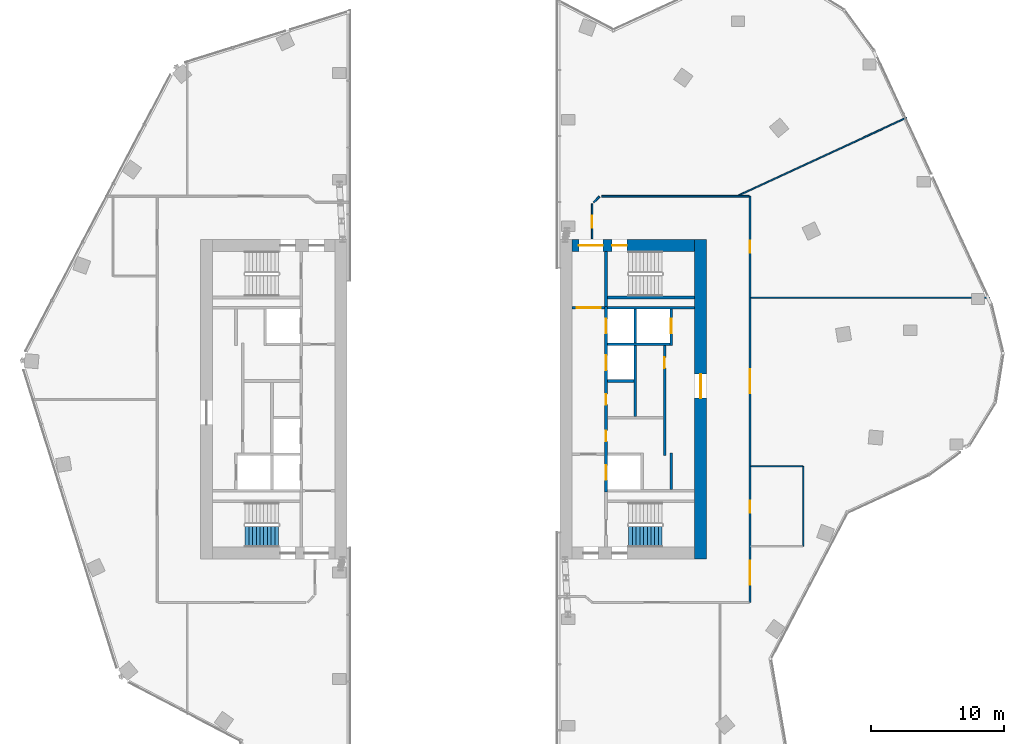
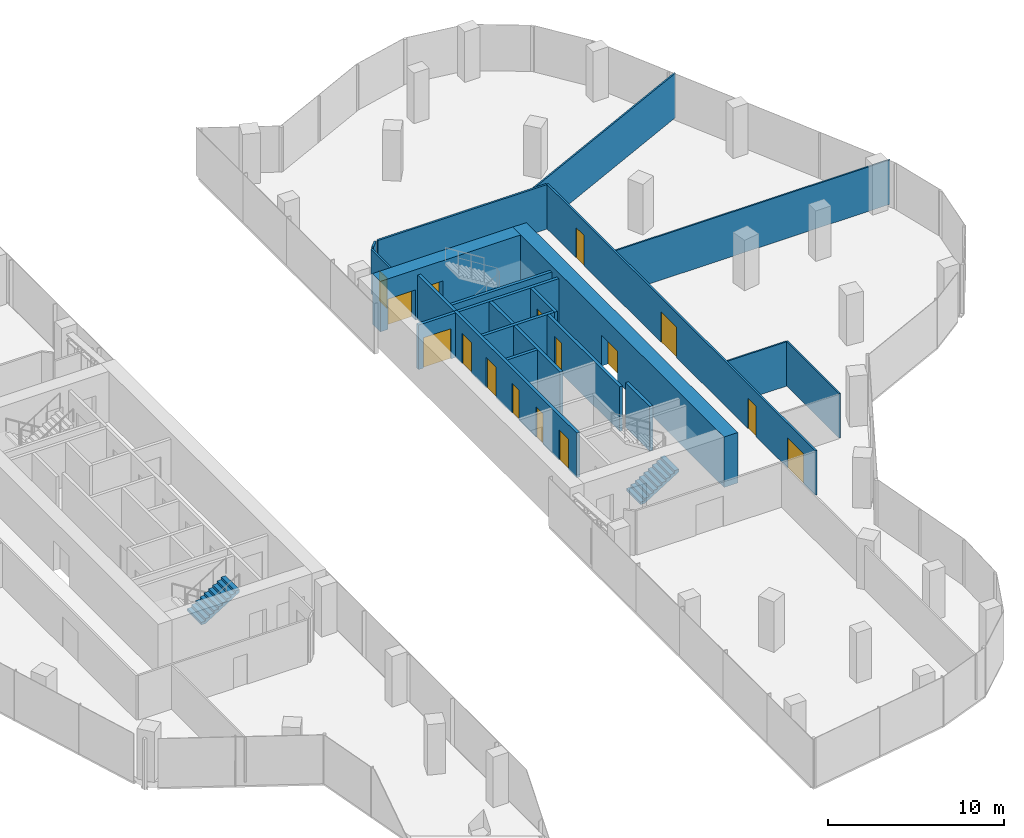
# One storey, part 20 of 23: 22 walls, 16 doors, 2 stair flights, 16 openings, 2 elements without a shape of their own.
"""IFC4 building model written with IfcOpenShell, lengths in metres."""

from ifc_helpers import new_model, si_unit, direction, frame, frame_2d, origin, place, context, subcontext, project, spatial, polyline, rectangle, outline, extrude, material, layer, layer_set, type_object, element, fill, aggregate, save


model = new_model("IFC4")

# Units and contexts
model_context = context("Model", 3, precision=1e-05, world=origin(), true_north=direction((0.0, 1.0)))
body_context = subcontext(model_context, "Body", "Model", "MODEL_VIEW")
ifc_project = project(units=[si_unit("LENGTHUNIT", "METRE"), si_unit("AREAUNIT", "SQUARE_METRE"), si_unit("VOLUMEUNIT", "CUBIC_METRE"), si_unit("PLANEANGLEUNIT", "RADIAN"), si_unit("MASSUNIT", "GRAM", prefix="KILO")], contexts=[model_context])

# Site, building, storey
site_placement = place(None, origin())
site = spatial("IfcSite", under=ifc_project, at=site_placement, CompositionType="ELEMENT")
building_placement = place(site_placement, origin())
building = spatial("IfcBuilding", under=site, at=building_placement, Name="Orlundy Tower", CompositionType="ELEMENT")
storey_placement = place(building_placement, frame((0.0, 0.0, 260.5)))
storey = spatial("IfcBuildingStorey", under=building, at=storey_placement, Name="L69", CompositionType="ELEMENT", Elevation=260.5)

# Wall, openings, doors
ifc_material_1 = material(Name="Concrete C60/75", Category="concrete")
ifc_layer_1 = layer(ifc_material_1, 0.89990234375)
ifc_layer_set_1 = layer_set([ifc_layer_1], Name="CORE WALL 900 C60/75")
wall_type_1 = type_object("IfcWallType", Name="CORE WALL 900 C60/75", PredefinedType="SHEAR", material=ifc_layer_set_1)
wall_1_placement = place(storey_placement, frame((8.89990234375, 11.550048828125, 0.0), z_axis=(0.0, 0.0, 1.0), x_axis=(1.0, 0.0, 0.0)))
wall_1 = element("IfcWall", 1, at=wall_1_placement, inside=storey, type_object=wall_type_1, Name="Core wall E-N L69", PredefinedType="SHEAR", context=body_context, shape_type="SweptSolid", body=[
    extrude(rectangle(XDim=9.2001953125, YDim=0.89990234375, at=frame_2d((4.60009765625, 0.0))), origin(), (0.0, 0.0, 1.0), 3.5),
])
opening_1_placement = place(wall_1_placement, frame((0.5, 0.0, 0.0)))
opening_1 = element("IfcOpeningElement", 2, at=opening_1_placement, cuts=wall_1, Name="Opening 52061", PredefinedType="OPENING", context=body_context, shape_type="SweptSolid", body=[
    extrude(rectangle(XDim=1.800048828125, YDim=2.10009765625, at=frame_2d((0.89990234375, 1.050048828125))), frame((0.0, 0.4599609375, 0.0), z_axis=(0.0, -1.0, 0.0), x_axis=(1.0, 0.0, 0.0)), (0.0, 0.0, 1.0), 0.919921875),
])
opening_2_placement = place(wall_1_placement, frame((3.0, 0.0, 0.0)))
opening_2 = element("IfcOpeningElement", 3, at=opening_2_placement, cuts=wall_1, Name="Opening 52063", PredefinedType="OPENING", context=body_context, shape_type="SweptSolid", body=[
    extrude(rectangle(XDim=1.10009765625, YDim=2.10009765625, at=frame_2d((0.550048828125, 1.050048828125))), frame((0.0, 0.4599609375, 0.0), z_axis=(0.0, -1.0, 0.0), x_axis=(1.0, 0.0, 0.0)), (0.0, 0.0, 1.0), 0.919921875),
])
ifc_material_2 = material(Name="Timber door set", Category="wood")
door_type_1 = type_object("IfcDoorType", Name="Lobby Door 1800x2100", OperationType="DOUBLE_DOOR_DOUBLE_SWING", PredefinedType="DOOR", material=ifc_material_2)
door_1_placement = place(opening_1_placement, origin())
door_1 = element("IfcDoor", 4, at=door_1_placement, inside=storey, type_object=door_type_1, Name="Passage door 52061", OperationType="SINGLE_SWING_LEFT", OverallHeight=2.10009765625, OverallWidth=1.800048828125, PredefinedType="DOOR", context=body_context, shape_type="SweptSolid", body=[
    extrude(rectangle(XDim=1.800048828125, YDim=2.10009765625, at=frame_2d((0.89990234375, 1.050048828125))), frame((0.0, 0.02490234375, 0.0), z_axis=(0.0, -1.0, 0.0), x_axis=(1.0, 0.0, 0.0)), (0.0, 0.0, 1.0), 0.050048828125),
])
fill(opening_1, door_1)
ifc_material_3 = material(Name="Steel door set", Category="steel")
door_type_2 = type_object("IfcDoorType", Name="Stair Door 1100x2100", OperationType="SINGLE_SWING_LEFT", PredefinedType="DOOR", material=ifc_material_3)
door_2_placement = place(opening_2_placement, origin())
door_2 = element("IfcDoor", 5, at=door_2_placement, inside=storey, type_object=door_type_2, Name="Stair door 52063", OperationType="SINGLE_SWING_LEFT", OverallHeight=2.10009765625, OverallWidth=1.10009765625, PredefinedType="DOOR", context=body_context, shape_type="SweptSolid", body=[
    extrude(rectangle(XDim=1.10009765625, YDim=2.10009765625, at=frame_2d((0.550048828125, 1.050048828125))), frame((0.0, 0.02490234375, 0.0), z_axis=(0.0, -1.0, 0.0), x_axis=(1.0, 0.0, 0.0)), (0.0, 0.0, 1.0), 0.050048828125),
])
fill(opening_2, door_2)

# Wall, opening, door
wall_2_placement = place(storey_placement, frame((18.550048828125, -12.0, 0.0), z_axis=(0.0, 0.0, 1.0), x_axis=(0.0, 1.0, 0.0)))
wall_2 = element("IfcWall", 6, at=wall_2_placement, inside=storey, type_object=wall_type_1, Name="Core wall E-E L69", PredefinedType="SHEAR", context=body_context, shape_type="SweptSolid", body=[
    extrude(rectangle(XDim=24.0, YDim=0.89990234375, at=frame_2d((12.0, 0.0))), origin(), (0.0, 0.0, 1.0), 3.5),
])
opening_3_placement = place(wall_2_placement, frame((12.10009765625, 0.0, 0.0)))
opening_3 = element("IfcOpeningElement", 7, at=opening_3_placement, cuts=wall_2, Name="Opening 52057", PredefinedType="OPENING", context=body_context, shape_type="SweptSolid", body=[
    extrude(rectangle(XDim=1.800048828125, YDim=2.10009765625, at=frame_2d((0.89990234375, 1.050048828125))), frame((0.0, 0.4599609375, 0.0), z_axis=(0.0, -1.0, 0.0), x_axis=(1.0, 0.0, 0.0)), (0.0, 0.0, 1.0), 0.919921875),
])
door_3_placement = place(opening_3_placement, origin())
door_3 = element("IfcDoor", 8, at=door_3_placement, inside=storey, type_object=door_type_1, Name="Lift lobby door 52057", OperationType="SINGLE_SWING_RIGHT", OverallHeight=2.10009765625, OverallWidth=1.800048828125, PredefinedType="DOOR", context=body_context, shape_type="SweptSolid", body=[
    extrude(rectangle(XDim=1.800048828125, YDim=2.10009765625, at=frame_2d((0.89990234375, 1.050048828125))), frame((0.0, 0.02490234375, 0.0), z_axis=(0.0, -1.0, 0.0), x_axis=(1.0, 0.0, 0.0)), (0.0, 0.0, 1.0), 0.050048828125),
])
fill(opening_3, door_3)

# Walls
ifc_material_4 = material(Name="Gypsum board partition")
ifc_layer_2 = layer(ifc_material_4, 0.10009765625)
ifc_layer_set_2 = layer_set([ifc_layer_2], Name="Floor partition 100")
wall_type_2 = type_object("IfcWallType", Name="Floor partition 100", PredefinedType="PARTITIONING", material=ifc_layer_set_2)
wall_3_placement = place(storey_placement, frame((22.31396484375, -5.029052734375, 0.0), z_axis=(0.0, 0.0, 1.0), x_axis=(1.0, 0.0, 0.0)))
element("IfcWall", 9, at=wall_3_placement, inside=storey, type_object=wall_type_2, Name="wall-int-L69-005", PredefinedType="PARTITIONING", context=body_context, shape_type="SweptSolid", body=[
    extrude(rectangle(XDim=3.885009765625, YDim=0.10009765625, at=frame_2d((1.9423828125, 0.0))), origin(), (0.0, 0.0, 1.0), 3.080078125),
])
wall_4_placement = place(storey_placement, frame((22.31396484375, 7.6240234375, 0.0), z_axis=(0.0, 0.0, 1.0), x_axis=(1.0, 0.0, 0.0)))
element("IfcWall", 10, at=wall_4_placement, inside=storey, type_object=wall_type_2, Name="wall-int-L69-007", PredefinedType="PARTITIONING", context=body_context, shape_type="SweptSolid", body=[
    extrude(rectangle(XDim=17.95703125, YDim=0.10009765625, at=frame_2d((8.978515625, 0.0))), origin(), (0.0, 0.0, 1.0), 3.080078125),
])
wall_5_placement = place(storey_placement, frame((21.325927734375, 15.277099609375, 0.0), z_axis=(0.0, 0.0, 1.0), x_axis=(0.907542351842, 0.419960569117, 0.0)))
element("IfcWall", 11, at=wall_5_placement, inside=storey, type_object=wall_type_2, Name="wall-int-L69-012", PredefinedType="PARTITIONING", context=body_context, shape_type="SweptSolid", body=[
    extrude(rectangle(XDim=13.9794921875, YDim=0.10009765625, at=frame_2d((6.98974609375, 0.0))), origin(), (0.0, 0.0, 1.0), 3.080078125),
])
wall_6_placement = place(storey_placement, frame((26.2490234375, -11.030029296875, 0.0), z_axis=(0.0, 0.0, 1.0), x_axis=(0.0, 1.0, 0.0)))
element("IfcWall", 12, at=wall_6_placement, inside=storey, type_object=wall_type_2, Name="wall-int-L69-015", PredefinedType="PARTITIONING", context=body_context, shape_type="SweptSolid", body=[
    extrude(rectangle(XDim=6.0009765625, YDim=0.10009765625, at=frame_2d((3.00048828125, 0.0))), origin(), (0.0, 0.0, 1.0), 3.080078125),
])
ifc_material_5 = material(Name="Gypsum board partition, double layer")
ifc_layer_3 = layer(ifc_material_5, 0.125)
ifc_layer_set_3 = layer_set([ifc_layer_3], Name="Floor partition 125")
wall_type_3 = type_object("IfcWallType", Name="Floor partition 125", PredefinedType="PARTITIONING", material=ifc_layer_set_3)
wall_7_placement = place(storey_placement, frame((11.10693359375, 15.2509765625, 0.0), z_axis=(0.0, 0.0, 1.0), x_axis=(1.0, 0.0, 0.0)))
element("IfcWall", 13, at=wall_7_placement, inside=storey, type_object=wall_type_3, Name="wall-int-L69-011", PredefinedType="PARTITIONING", context=body_context, shape_type="SweptSolid", body=[
    extrude(rectangle(XDim=11.0810546875, YDim=0.125, at=frame_2d((5.54052734375, 0.0))), origin(), (0.0, 0.0, 1.0), 3.080078125),
])
wall_8_placement = place(storey_placement, frame((10.52099609375, 14.7890625, 0.0), z_axis=(0.0, 0.0, 1.0), x_axis=(0.698110320765, 0.715990209459, 0.0)))
element("IfcWall", 14, at=wall_8_placement, inside=storey, type_object=wall_type_3, Name="wall-int-L69-014", PredefinedType="PARTITIONING", context=body_context, shape_type="SweptSolid", body=[
    extrude(rectangle(XDim=0.614501953125, YDim=0.125, at=frame_2d((0.30712890625, 0.0))), origin(), (0.0, 0.0, 1.0), 3.080078125),
])

# Wall, openings, doors
wall_9_placement = place(storey_placement, frame((22.2509765625, 15.25, 0.0), z_axis=(0.0, 0.0, 1.0), x_axis=(0.0, -1.0, 0.0)))
wall_9 = element("IfcWall", 15, at=wall_9_placement, inside=storey, type_object=wall_type_3, Name="wall-int-L69-016", PredefinedType="PARTITIONING", context=body_context, shape_type="SweptSolid", body=[
    extrude(rectangle(XDim=30.5, YDim=0.125, at=frame_2d((15.25, 0.0))), origin(), (0.0, 0.0, 1.0), 3.080078125),
])
opening_4_placement = place(wall_9_placement, frame((27.3798828125, 0.0, 0.0)))
opening_4 = element("IfcOpeningElement", 16, at=opening_4_placement, cuts=wall_9, Name="Opening 52104", PredefinedType="OPENING", context=body_context, shape_type="SweptSolid", body=[
    extrude(rectangle(XDim=1.800048828125, YDim=2.10009765625, at=frame_2d((0.89990234375, 1.050048828125))), frame((0.0, 0.072509765625, 0.0), z_axis=(0.0, -1.0, 0.0), x_axis=(1.0, 0.0, 0.0)), (0.0, 0.0, 1.0), 0.14501953125),
])
opening_5_placement = place(wall_9_placement, frame((12.97607421875, 0.0, 0.0)))
opening_5 = element("IfcOpeningElement", 17, at=opening_5_placement, cuts=wall_9, Name="Opening 52105", PredefinedType="OPENING", context=body_context, shape_type="SweptSolid", body=[
    extrude(rectangle(XDim=1.800048828125, YDim=2.10009765625, at=frame_2d((0.89990234375, 1.050048828125))), frame((0.0, 0.072509765625, 0.0), z_axis=(0.0, -1.0, 0.0), x_axis=(1.0, 0.0, 0.0)), (0.0, 0.0, 1.0), 0.14501953125),
])
opening_6_placement = place(wall_9_placement, frame((3.35009765625, 0.0, 0.0)))
opening_6 = element("IfcOpeningElement", 18, at=opening_6_placement, cuts=wall_9, Name="Opening 52106", PredefinedType="OPENING", context=body_context, shape_type="SweptSolid", body=[
    extrude(rectangle(XDim=0.89990234375, YDim=2.10009765625, at=frame_2d((0.449951171875, 1.050048828125))), frame((0.0, 0.072509765625, 0.0), z_axis=(0.0, -1.0, 0.0), x_axis=(1.0, 0.0, 0.0)), (0.0, 0.0, 1.0), 0.14501953125),
])
opening_7_placement = place(wall_9_placement, frame((22.8798828125, 0.0, 0.0)))
opening_7 = element("IfcOpeningElement", 19, at=opening_7_placement, cuts=wall_9, Name="Opening 52110", PredefinedType="OPENING", context=body_context, shape_type="SweptSolid", body=[
    extrude(rectangle(XDim=0.89990234375, YDim=2.10009765625, at=frame_2d((0.449951171875, 1.050048828125))), frame((0.0, 0.072509765625, 0.0), z_axis=(0.0, -1.0, 0.0), x_axis=(1.0, 0.0, 0.0)), (0.0, 0.0, 1.0), 0.14501953125),
])
ifc_material_6 = material(Name="Timber door leaf", Category="wood")
door_type_3 = type_object("IfcDoorType", Name="Floor door double 1800 FD30S", OperationType="NOTDEFINED", PredefinedType="DOOR", material=ifc_material_6)
door_4_placement = place(opening_4_placement, origin())
door_4 = element("IfcDoor", 20, at=door_4_placement, inside=storey, type_object=door_type_3, Name="Door 52104", OperationType="DOUBLE_DOOR_SINGLE_SWING", OverallHeight=2.10009765625, OverallWidth=1.800048828125, PredefinedType="DOOR", context=body_context, shape_type="SweptSolid", body=[
    extrude(rectangle(XDim=1.800048828125, YDim=2.10009765625, at=frame_2d((0.89990234375, 1.050048828125))), frame((0.0, 0.02490234375, 0.0), z_axis=(0.0, -1.0, 0.0), x_axis=(1.0, 0.0, 0.0)), (0.0, 0.0, 1.0), 0.050048828125),
])
fill(opening_4, door_4)
door_5_placement = place(opening_5_placement, origin())
door_5 = element("IfcDoor", 21, at=door_5_placement, inside=storey, type_object=door_type_3, Name="Door 52105", OperationType="DOUBLE_DOOR_SINGLE_SWING", OverallHeight=2.10009765625, OverallWidth=1.800048828125, PredefinedType="DOOR", context=body_context, shape_type="SweptSolid", body=[
    extrude(rectangle(XDim=1.800048828125, YDim=2.10009765625, at=frame_2d((0.89990234375, 1.050048828125))), frame((0.0, 0.02490234375, 0.0), z_axis=(0.0, -1.0, 0.0), x_axis=(1.0, 0.0, 0.0)), (0.0, 0.0, 1.0), 0.050048828125),
])
fill(opening_5, door_5)
ifc_material_7 = material(Name="Timber door leaf", Category="wood")
door_type_4 = type_object("IfcDoorType", Name="Floor door single 900 FD30S", OperationType="NOTDEFINED", PredefinedType="DOOR", material=ifc_material_7)
door_6_placement = place(opening_6_placement, origin())
door_6 = element("IfcDoor", 22, at=door_6_placement, inside=storey, type_object=door_type_4, Name="Door 52106", OperationType="SINGLE_SWING_LEFT", OverallHeight=2.10009765625, OverallWidth=0.89990234375, PredefinedType="DOOR", context=body_context, shape_type="SweptSolid", body=[
    extrude(rectangle(XDim=0.89990234375, YDim=2.10009765625, at=frame_2d((0.449951171875, 1.050048828125))), frame((0.0, 0.02490234375, 0.0), z_axis=(0.0, -1.0, 0.0), x_axis=(1.0, 0.0, 0.0)), (0.0, 0.0, 1.0), 0.050048828125),
])
fill(opening_6, door_6)
door_7_placement = place(opening_7_placement, origin())
door_7 = element("IfcDoor", 23, at=door_7_placement, inside=storey, type_object=door_type_4, Name="Door 52110", OperationType="SINGLE_SWING_RIGHT", OverallHeight=2.10009765625, OverallWidth=0.89990234375, PredefinedType="DOOR", context=body_context, shape_type="SweptSolid", body=[
    extrude(rectangle(XDim=0.89990234375, YDim=2.10009765625, at=frame_2d((0.449951171875, 1.050048828125))), frame((0.0, 0.02490234375, 0.0), z_axis=(0.0, -1.0, 0.0), x_axis=(1.0, 0.0, 0.0)), (0.0, 0.0, 1.0), 0.050048828125),
])
fill(opening_7, door_7)

# Wall, opening, door
wall_10_placement = place(storey_placement, frame((10.39990234375, 12.050048828125, 0.0), z_axis=(0.0, 0.0, 1.0), x_axis=(0.0, 1.0, 0.0)))
wall_10 = element("IfcWall", 24, at=wall_10_placement, inside=storey, type_object=wall_type_3, Name="wall-int-L69-019", PredefinedType="PARTITIONING", context=body_context, shape_type="SweptSolid", body=[
    extrude(rectangle(XDim=2.619873046875, YDim=0.125, at=frame_2d((1.31005859375, 0.0))), origin(), (0.0, 0.0, 1.0), 3.080078125),
])
opening_8_placement = place(wall_10_placement, frame((0.85009765625, 0.0, 0.0)))
opening_8 = element("IfcOpeningElement", 25, at=opening_8_placement, cuts=wall_10, Name="Opening 52107", PredefinedType="OPENING", context=body_context, shape_type="SweptSolid", body=[
    extrude(rectangle(XDim=0.89990234375, YDim=2.10009765625, at=frame_2d((0.449951171875, 1.050048828125))), frame((0.0, 0.072509765625, 0.0), z_axis=(0.0, -1.0, 0.0), x_axis=(1.0, 0.0, 0.0)), (0.0, 0.0, 1.0), 0.14501953125),
])
door_8_placement = place(opening_8_placement, origin())
door_8 = element("IfcDoor", 26, at=door_8_placement, inside=storey, type_object=door_type_4, Name="Door 52107", OperationType="SINGLE_SWING_LEFT", OverallHeight=2.10009765625, OverallWidth=0.89990234375, PredefinedType="DOOR", context=body_context, shape_type="SweptSolid", body=[
    extrude(rectangle(XDim=0.89990234375, YDim=2.10009765625, at=frame_2d((0.449951171875, 1.050048828125))), frame((0.0, 0.02490234375, 0.0), z_axis=(0.0, -1.0, 0.0), x_axis=(1.0, 0.0, 0.0)), (0.0, 0.0, 1.0), 0.050048828125),
])
fill(opening_8, door_8)

# Walls
ifc_material_8 = material(Name="Concrete C40/50", Category="concrete")
ifc_layer_4 = layer(ifc_material_8, 0.199951171875)
ifc_layer_set_4 = layer_set([ifc_layer_4], Name="Load-bearing Shaft Wall 200")
wall_type_4 = type_object("IfcWallType", Name="Load-bearing Shaft Wall 200", PredefinedType="SOLIDWALL", material=ifc_layer_set_4)
wall_11_placement = place(storey_placement, frame((11.43994140625, 11.10009765625, 0.0), z_axis=(0.0, 0.0, 1.0), x_axis=(0.0, -1.0, 0.0)))
element("IfcWall", 27, at=wall_11_placement, inside=storey, type_object=wall_type_4, Name="Shaft wall E52-stair-end-s", PredefinedType="SOLIDWALL", context=body_context, shape_type="SweptSolid", body=[
    extrude(rectangle(XDim=4.125, YDim=0.199951171875, at=frame_2d((2.0625, 0.0))), origin(), (0.0, 0.0, 1.0), 3.090087890625),
])
wall_12_placement = place(storey_placement, frame((11.5400390625, 7.64990234375, 0.0), z_axis=(0.0, 0.0, 1.0), x_axis=(1.0, 0.0, 0.0)))
element("IfcWall", 28, at=wall_12_placement, inside=storey, type_object=wall_type_4, Name="Shaft wall E52-stair-side-s", PredefinedType="SOLIDWALL", context=body_context, shape_type="SweptSolid", body=[
    extrude(rectangle(XDim=6.56005859375, YDim=0.199951171875, at=frame_2d((3.280029296875, 0.0))), origin(), (0.0, 0.0, 1.0), 3.090087890625),
])

# Wall, opening, door
ifc_material_9 = material(Name="Gypsum board partition on steel studs", Category="steel")
ifc_layer_5 = layer(ifc_material_9, 0.199951171875)
ifc_layer_set_5 = layer_set([ifc_layer_5], Name="Partition 200")
wall_type_5 = type_object("IfcWallType", Name="Partition 200", PredefinedType="PARTITIONING", material=ifc_layer_set_5)
wall_13_placement = place(storey_placement, frame((8.89990234375, 6.875, 0.0), z_axis=(0.0, 0.0, 1.0), x_axis=(1.0, 0.0, 0.0)))
wall_13 = element("IfcWall", 29, at=wall_13_placement, inside=storey, type_object=wall_type_5, Name="Partition wall E52-end-s", PredefinedType="PARTITIONING", context=body_context, shape_type="SweptSolid", body=[
    extrude(rectangle(XDim=2.440185546875, YDim=0.199951171875, at=frame_2d((1.22021484375, 0.0))), origin(), (0.0, 0.0, 1.0), 3.090087890625),
])
opening_9_placement = place(wall_13_placement, frame((0.35009765625, 0.0, 0.0)))
opening_9 = element("IfcOpeningElement", 30, at=opening_9_placement, cuts=wall_13, Name="Opening 52060", PredefinedType="OPENING", context=body_context, shape_type="SweptSolid", body=[
    extrude(rectangle(XDim=1.800048828125, YDim=2.10009765625, at=frame_2d((0.89990234375, 1.050048828125))), frame((0.0, 0.110107421875, 0.0), z_axis=(0.0, -1.0, 0.0), x_axis=(1.0, 0.0, 0.0)), (0.0, 0.0, 1.0), 0.22021484375),
])
door_9_placement = place(opening_9_placement, origin())
door_9 = element("IfcDoor", 31, at=door_9_placement, inside=storey, type_object=door_type_1, Name="Lift lobby to passage door 52060", OperationType="DOUBLE_DOOR_DOUBLE_SWING", OverallHeight=2.10009765625, OverallWidth=1.800048828125, PredefinedType="DOOR", context=body_context, shape_type="SweptSolid", body=[
    extrude(rectangle(XDim=1.800048828125, YDim=2.10009765625, at=frame_2d((0.89990234375, 1.050048828125))), frame((0.0, 0.02490234375, 0.0), z_axis=(0.0, -1.0, 0.0), x_axis=(1.0, 0.0, 0.0)), (0.0, 0.0, 1.0), 0.050048828125),
])
fill(opening_9, door_9)

# Walls
ifc_material_10 = material(Name="Fire-rated blockwork shaft wall", Category="masonry")
ifc_layer_6 = layer(ifc_material_10, 0.199951171875)
ifc_layer_set_6 = layer_set([ifc_layer_6], Name="Shaft Wall 200")
wall_type_6 = type_object("IfcWallType", Name="Shaft Wall 200", PredefinedType="SOLIDWALL", material=ifc_layer_set_6)
wall_14_placement = place(storey_placement, frame((11.5400390625, 6.875, 0.0), z_axis=(0.0, 0.0, 1.0), x_axis=(1.0, 0.0, 0.0)))
element("IfcWall", 32, at=wall_14_placement, inside=storey, type_object=wall_type_6, Name="Shaft wall E52-zone-s", PredefinedType="SOLIDWALL", context=body_context, shape_type="SweptSolid", body=[
    extrude(rectangle(XDim=6.56005859375, YDim=0.199951171875, at=frame_2d((3.280029296875, 0.0))), origin(), (0.0, 0.0, 1.0), 3.090087890625),
])
wall_15_placement = place(storey_placement, frame((11.5400390625, 4.125, 0.0), z_axis=(0.0, 0.0, 1.0), x_axis=(1.0, 0.0, 0.0)))
element("IfcWall", 33, at=wall_15_placement, inside=storey, type_object=wall_type_6, Name="Shaft wall E52-cross-4.125", PredefinedType="SOLIDWALL", context=body_context, shape_type="SweptSolid", body=[
    extrude(rectangle(XDim=4.699951171875, YDim=0.199951171875, at=frame_2d((2.35009765625, 0.0))), origin(), (0.0, 0.0, 1.0), 3.090087890625),
])
wall_16_placement = place(storey_placement, frame((11.5400390625, 1.375, 0.0), z_axis=(0.0, 0.0, 1.0), x_axis=(1.0, 0.0, 0.0)))
element("IfcWall", 34, at=wall_16_placement, inside=storey, type_object=wall_type_6, Name="Shaft wall E52-cross-1.375", PredefinedType="SOLIDWALL", context=body_context, shape_type="SweptSolid", body=[
    extrude(rectangle(XDim=2.0, YDim=0.199951171875, at=frame_2d((1.0, 0.0))), origin(), (0.0, 0.0, 1.0), 3.090087890625),
])

# Wall, openings, doors
wall_17_placement = place(storey_placement, frame((11.43994140625, 6.97509765625, 0.0), z_axis=(0.0, 0.0, 1.0), x_axis=(0.0, -1.0, 0.0)))
wall_17 = element("IfcWall", 35, at=wall_17_placement, inside=storey, type_object=wall_type_6, Name="Shaft wall E52-front-h", PredefinedType="SOLIDWALL", context=body_context, shape_type="SweptSolid", body=[
    extrude(rectangle(XDim=13.9501953125, YDim=0.199951171875, at=frame_2d((6.97509765625, 0.0))), origin(), (0.0, 0.0, 1.0), 3.090087890625),
])
opening_10_placement = place(wall_17_placement, frame((0.925048828125, 0.0, 0.0)))
opening_10 = element("IfcOpeningElement", 36, at=opening_10_placement, cuts=wall_17, Name="Opening 52050", PredefinedType="OPENING", context=body_context, shape_type="SweptSolid", body=[
    extrude(rectangle(XDim=1.10009765625, YDim=2.10009765625, at=frame_2d((0.550048828125, 1.050048828125))), frame((0.0, 0.110107421875, 0.0), z_axis=(0.0, -1.0, 0.0), x_axis=(1.0, 0.0, 0.0)), (0.0, 0.0, 1.0), 0.22021484375),
])
opening_11_placement = place(wall_17_placement, frame((3.675048828125, 0.0, 0.0)))
opening_11 = element("IfcOpeningElement", 37, at=opening_11_placement, cuts=wall_17, Name="Opening 52052", PredefinedType="OPENING", context=body_context, shape_type="SweptSolid", body=[
    extrude(rectangle(XDim=1.10009765625, YDim=2.10009765625, at=frame_2d((0.550048828125, 1.050048828125))), frame((0.0, 0.110107421875, 0.0), z_axis=(0.0, -1.0, 0.0), x_axis=(1.0, 0.0, 0.0)), (0.0, 0.0, 1.0), 0.22021484375),
])
opening_12_placement = place(wall_17_placement, frame((11.925048828125, 0.0, 0.0)))
opening_12 = element("IfcOpeningElement", 38, at=opening_12_placement, cuts=wall_17, Name="Opening 52053", PredefinedType="OPENING", context=body_context, shape_type="SweptSolid", body=[
    extrude(rectangle(XDim=1.10009765625, YDim=2.10009765625, at=frame_2d((0.550048828125, 1.050048828125))), frame((0.0, 0.110107421875, 0.0), z_axis=(0.0, -1.0, 0.0), x_axis=(1.0, 0.0, 0.0)), (0.0, 0.0, 1.0), 0.22021484375),
])
opening_13_placement = place(wall_17_placement, frame((6.574951171875, 0.0, 0.0)))
opening_13 = element("IfcOpeningElement", 39, at=opening_13_placement, cuts=wall_17, Name="Opening 52055", PredefinedType="OPENING", context=body_context, shape_type="SweptSolid", body=[
    extrude(rectangle(XDim=0.800048828125, YDim=2.10009765625, at=frame_2d((0.39990234375, 1.050048828125))), frame((0.0, 0.110107421875, 0.0), z_axis=(0.0, -1.0, 0.0), x_axis=(1.0, 0.0, 0.0)), (0.0, 0.0, 1.0), 0.22021484375),
])
opening_14_placement = place(wall_17_placement, frame((9.324951171875, 0.0, 0.0)))
opening_14 = element("IfcOpeningElement", 40, at=opening_14_placement, cuts=wall_17, Name="Opening 52056", PredefinedType="OPENING", context=body_context, shape_type="SweptSolid", body=[
    extrude(rectangle(XDim=0.800048828125, YDim=2.10009765625, at=frame_2d((0.39990234375, 1.050048828125))), frame((0.0, 0.110107421875, 0.0), z_axis=(0.0, -1.0, 0.0), x_axis=(1.0, 0.0, 0.0)), (0.0, 0.0, 1.0), 0.22021484375),
])
ifc_material_11 = material(Name="Steel door set", Category="steel")
door_type_5 = type_object("IfcDoorType", Name="Landing Door 1100x2100", OperationType="DOUBLE_DOOR_SLIDING", PredefinedType="DOOR", material=ifc_material_11)
door_10_placement = place(opening_10_placement, origin())
door_10 = element("IfcDoor", 41, at=door_10_placement, inside=storey, type_object=door_type_5, Name="Lift landing door LP-24 52050", OperationType="DOUBLE_DOOR_SLIDING", OverallHeight=2.10009765625, OverallWidth=1.10009765625, PredefinedType="DOOR", context=body_context, shape_type="SweptSolid", body=[
    extrude(rectangle(XDim=1.10009765625, YDim=2.10009765625, at=frame_2d((0.550048828125, 1.050048828125))), frame((0.0, 0.02490234375, 0.0), z_axis=(0.0, -1.0, 0.0), x_axis=(1.0, 0.0, 0.0)), (0.0, 0.0, 1.0), 0.050048828125),
])
fill(opening_10, door_10)
door_11_placement = place(opening_11_placement, origin())
door_11 = element("IfcDoor", 42, at=door_11_placement, inside=storey, type_object=door_type_5, Name="Lift landing door LP-23 52052", OperationType="DOUBLE_DOOR_SLIDING", OverallHeight=2.10009765625, OverallWidth=1.10009765625, PredefinedType="DOOR", context=body_context, shape_type="SweptSolid", body=[
    extrude(rectangle(XDim=1.10009765625, YDim=2.10009765625, at=frame_2d((0.550048828125, 1.050048828125))), frame((0.0, 0.02490234375, 0.0), z_axis=(0.0, -1.0, 0.0), x_axis=(1.0, 0.0, 0.0)), (0.0, 0.0, 1.0), 0.050048828125),
])
fill(opening_11, door_11)
door_12_placement = place(opening_12_placement, origin())
door_12 = element("IfcDoor", 43, at=door_12_placement, inside=storey, type_object=door_type_5, Name="Lift landing door FL2 52053", OperationType="DOUBLE_DOOR_SLIDING", OverallHeight=2.10009765625, OverallWidth=1.10009765625, PredefinedType="DOOR", context=body_context, shape_type="SweptSolid", body=[
    extrude(rectangle(XDim=1.10009765625, YDim=2.10009765625, at=frame_2d((0.550048828125, 1.050048828125))), frame((0.0, 0.02490234375, 0.0), z_axis=(0.0, -1.0, 0.0), x_axis=(1.0, 0.0, 0.0)), (0.0, 0.0, 1.0), 0.050048828125),
])
fill(opening_12, door_12)
ifc_material_12 = material(Name="Timber door set", Category="wood")
door_type_6 = type_object("IfcDoorType", Name="Riser Door 800x2100", OperationType="SINGLE_SWING_LEFT", PredefinedType="DOOR", material=ifc_material_12)
door_13_placement = place(opening_13_placement, origin())
door_13 = element("IfcDoor", 44, at=door_13_placement, inside=storey, type_object=door_type_6, Name="Coat Store door 52055", OperationType="SINGLE_SWING_LEFT", OverallHeight=2.10009765625, OverallWidth=0.800048828125, PredefinedType="DOOR", context=body_context, shape_type="SweptSolid", body=[
    extrude(rectangle(XDim=0.800048828125, YDim=2.10009765625, at=frame_2d((0.39990234375, 1.050048828125))), frame((0.0, 0.02490234375, 0.0), z_axis=(0.0, -1.0, 0.0), x_axis=(1.0, 0.0, 0.0)), (0.0, 0.0, 1.0), 0.050048828125),
])
fill(opening_13, door_13)
door_14_placement = place(opening_14_placement, origin())
door_14 = element("IfcDoor", 45, at=door_14_placement, inside=storey, type_object=door_type_6, Name="Parcel Store door 52056", OperationType="SINGLE_SWING_LEFT", OverallHeight=2.10009765625, OverallWidth=0.800048828125, PredefinedType="DOOR", context=body_context, shape_type="SweptSolid", body=[
    extrude(rectangle(XDim=0.800048828125, YDim=2.10009765625, at=frame_2d((0.39990234375, 1.050048828125))), frame((0.0, 0.02490234375, 0.0), z_axis=(0.0, -1.0, 0.0), x_axis=(1.0, 0.0, 0.0)), (0.0, 0.0, 1.0), 0.050048828125),
])
fill(opening_14, door_14)

# Walls
wall_18_placement = place(storey_placement, frame((13.639892578125, 6.77490234375, 0.0), z_axis=(0.0, 0.0, 1.0), x_axis=(0.0, -1.0, 0.0)))
element("IfcWall", 46, at=wall_18_placement, inside=storey, type_object=wall_type_6, Name="Shaft wall E52-mid-a", PredefinedType="SOLIDWALL", context=body_context, shape_type="SweptSolid", body=[
    extrude(rectangle(XDim=2.5498046875, YDim=0.199951171875, at=frame_2d((1.27490234375, 0.0))), origin(), (0.0, 0.0, 1.0), 3.090087890625),
])
wall_19_placement = place(storey_placement, frame((13.639892578125, 4.02490234375, 0.0), z_axis=(0.0, 0.0, 1.0), x_axis=(0.0, -1.0, 0.0)))
element("IfcWall", 47, at=wall_19_placement, inside=storey, type_object=wall_type_6, Name="Shaft wall E52-mid-a.1", PredefinedType="SOLIDWALL", context=body_context, shape_type="SweptSolid", body=[
    extrude(rectangle(XDim=5.2998046875, YDim=0.199951171875, at=frame_2d((2.64990234375, 0.0))), origin(), (0.0, 0.0, 1.0), 3.090087890625),
])

# Wall, opening, door
wall_20_placement = place(storey_placement, frame((16.340087890625, 6.77490234375, 0.0), z_axis=(0.0, 0.0, 1.0), x_axis=(0.0, -1.0, 0.0)))
wall_20 = element("IfcWall", 48, at=wall_20_placement, inside=storey, type_object=wall_type_6, Name="Shaft wall E52-front-o-a", PredefinedType="SOLIDWALL", context=body_context, shape_type="SweptSolid", body=[
    extrude(rectangle(XDim=2.75, YDim=0.199951171875, at=frame_2d((1.375, 0.0))), origin(), (0.0, 0.0, 1.0), 3.090087890625),
])
opening_15_placement = place(wall_20_placement, frame((0.72509765625, 0.0, 0.0)))
opening_15 = element("IfcOpeningElement", 49, at=opening_15_placement, cuts=wall_20, Name="Opening 52051", PredefinedType="OPENING", context=body_context, shape_type="SweptSolid", body=[
    extrude(rectangle(XDim=1.10009765625, YDim=2.10009765625, at=frame_2d((0.550048828125, 1.050048828125))), frame((0.0, 0.110107421875, 0.0), z_axis=(0.0, -1.0, 0.0), x_axis=(1.0, 0.0, 0.0)), (0.0, 0.0, 1.0), 0.22021484375),
])
door_15_placement = place(opening_15_placement, origin())
door_15 = element("IfcDoor", 50, at=door_15_placement, inside=storey, type_object=door_type_5, Name="Lift landing door LV-02 52051", OperationType="DOUBLE_DOOR_SLIDING", OverallHeight=2.10009765625, OverallWidth=1.10009765625, PredefinedType="DOOR", context=body_context, shape_type="SweptSolid", body=[
    extrude(rectangle(XDim=1.10009765625, YDim=2.10009765625, at=frame_2d((0.550048828125, 1.050048828125))), frame((0.0, 0.02490234375, 0.0), z_axis=(0.0, -1.0, 0.0), x_axis=(1.0, 0.0, 0.0)), (0.0, 0.0, 1.0), 0.050048828125),
])
fill(opening_15, door_15)

wall_21_placement = place(storey_placement, frame((15.840087890625, 4.02490234375, 0.0), z_axis=(0.0, 0.0, 1.0), x_axis=(0.0, -1.0, 0.0)))
wall_21 = element("IfcWall", 51, at=wall_21_placement, inside=storey, type_object=wall_type_6, Name="Shaft wall E52-front-o-b", PredefinedType="SOLIDWALL", context=body_context, shape_type="SweptSolid", body=[
    extrude(rectangle(XDim=8.25, YDim=0.199951171875, at=frame_2d((4.125, 0.0))), origin(), (0.0, 0.0, 1.0), 3.090087890625),
])
opening_16_placement = place(wall_21_placement, frame((0.875, 0.0, 0.0)))
opening_16 = element("IfcOpeningElement", 52, at=opening_16_placement, cuts=wall_21, Name="Opening 52054", PredefinedType="OPENING", context=body_context, shape_type="SweptSolid", body=[
    extrude(rectangle(XDim=0.800048828125, YDim=2.10009765625, at=frame_2d((0.39990234375, 1.050048828125))), frame((0.0, 0.110107421875, 0.0), z_axis=(0.0, -1.0, 0.0), x_axis=(1.0, 0.0, 0.0)), (0.0, 0.0, 1.0), 0.22021484375),
])
door_16_placement = place(opening_16_placement, origin())
door_16 = element("IfcDoor", 53, at=door_16_placement, inside=storey, type_object=door_type_6, Name="Printer Paper Store door 52054", OperationType="SINGLE_SWING_LEFT", OverallHeight=2.10009765625, OverallWidth=0.800048828125, PredefinedType="DOOR", context=body_context, shape_type="SweptSolid", body=[
    extrude(rectangle(XDim=0.800048828125, YDim=2.10009765625, at=frame_2d((0.39990234375, 1.050048828125))), frame((0.0, 0.02490234375, 0.0), z_axis=(0.0, -1.0, 0.0), x_axis=(1.0, 0.0, 0.0)), (0.0, 0.0, 1.0), 0.050048828125),
])
fill(opening_16, door_16)

# Wall
wall_22_placement = place(storey_placement, frame((16.340087890625, -4.02490234375, 0.0), z_axis=(0.0, 0.0, 1.0), x_axis=(0.0, -1.0, 0.0)))
element("IfcWall", 54, at=wall_22_placement, inside=storey, type_object=wall_type_6, Name="Shaft wall E52-front-o-c", PredefinedType="SOLIDWALL", context=body_context, shape_type="SweptSolid", body=[
    extrude(rectangle(XDim=2.75, YDim=0.199951171875, at=frame_2d((1.375, 0.0))), origin(), (0.0, 0.0, 1.0), 3.090087890625),
])

# Stair, stair flight
ifc_material_13 = material(Name="Concrete C50/60", Category="concrete")
stair_type = type_object("IfcStairType", Name="Exit Stair 20 risers", PredefinedType="HALF_TURN_STAIR", material=ifc_material_13)
stair_1_placement = place(storey_placement, origin())
stair_1 = element("IfcStair", 55, at=stair_1_placement, inside=storey, type_object=stair_type, Name="L69 Exit Stair ST-W2", PredefinedType="HALF_TURN_STAIR")
ifc_material_14 = material(Name="Concrete C50/60", Category="concrete")
stair_flight_type = type_object("IfcStairFlightType", Name="Stair Flight 10 risers", PredefinedType="STRAIGHT", material=ifc_material_14)
stair_flight_1_placement = place(storey_placement, frame((-15.659912109375, -10.300048828125, 1.75), z_axis=(0.0, 0.0, 1.0), x_axis=(1.0, 0.0, 0.0)))
stair_flight_1 = element("IfcStairFlight", 56, at=stair_flight_1_placement, type_object=stair_flight_type, Name="ST-W2 flight 2", NumberOfRisers=10, NumberOfTreads=9, PredefinedType="STRAIGHT", RiserHeight=0.175, TreadLength=0.28, context=body_context, shape_type="SweptSolid", body=[
    extrude(outline(polyline([(0.0, 0.0), (0.0, 0.175048828125), (0.280029296875, 0.175048828125), (0.280029296875, 0.35009765625), (0.56005859375, 0.35009765625), (0.56005859375, 0.52490234375), (0.840087890625, 0.52490234375), (0.840087890625, 0.699951171875), (1.1201171875, 0.699951171875), (1.1201171875, 0.875), (1.39990234375, 0.875), (1.39990234375, 1.050048828125), (1.679931640625, 1.050048828125), (1.679931640625, 1.22509765625), (1.9599609375, 1.22509765625), (1.9599609375, 1.39990234375), (2.239990234375, 1.39990234375), (2.239990234375, 1.574951171875), (2.52001953125, 1.574951171875), (2.52001953125, 1.75), (2.52001953125, 1.398193359375), (0.28271484375, 0.0), (0.0, 0.0)])), frame((0.0, 0.800048828125, 0.0), z_axis=(0.0, -1.0, 0.0), x_axis=(1.0, 0.0, 0.0)), (0.0, 0.0, 1.0), 1.60009765625),
])
aggregate(stair_1, [stair_flight_1])

stair_2_placement = place(storey_placement, origin())
stair_2 = element("IfcStair", 57, at=stair_2_placement, inside=storey, type_object=stair_type, Name="L69 Exit Stair ST-E1", PredefinedType="HALF_TURN_STAIR")
stair_flight_2_placement = place(storey_placement, frame((13.139892578125, -10.300048828125, 0.0), z_axis=(0.0, 0.0, 1.0), x_axis=(1.0, 0.0, 0.0)))
stair_flight_2 = element("IfcStairFlight", 58, at=stair_flight_2_placement, type_object=stair_flight_type, Name="ST-E1 flight 1", NumberOfRisers=10, NumberOfTreads=9, PredefinedType="STRAIGHT", RiserHeight=0.175, TreadLength=0.28, context=body_context, shape_type="SweptSolid", body=[
    extrude(outline(polyline([(0.0, 0.0), (0.0, 0.175048828125), (0.280029296875, 0.175048828125), (0.280029296875, 0.35009765625), (0.56005859375, 0.35009765625), (0.56005859375, 0.52490234375), (0.840087890625, 0.52490234375), (0.840087890625, 0.699951171875), (1.1201171875, 0.699951171875), (1.1201171875, 0.875), (1.39990234375, 0.875), (1.39990234375, 1.050048828125), (1.679931640625, 1.050048828125), (1.679931640625, 1.22509765625), (1.9599609375, 1.22509765625), (1.9599609375, 1.39990234375), (2.239990234375, 1.39990234375), (2.239990234375, 1.574951171875), (2.52001953125, 1.574951171875), (2.52001953125, 1.75), (2.52001953125, 1.398193359375), (0.28271484375, 0.0), (0.0, 0.0)])), frame((0.0, 0.800048828125, 0.0), z_axis=(0.0, -1.0, 0.0), x_axis=(1.0, 0.0, 0.0)), (0.0, 0.0, 1.0), 1.60009765625),
])
aggregate(stair_2, [stair_flight_2])

save(model, "model.ifc")
